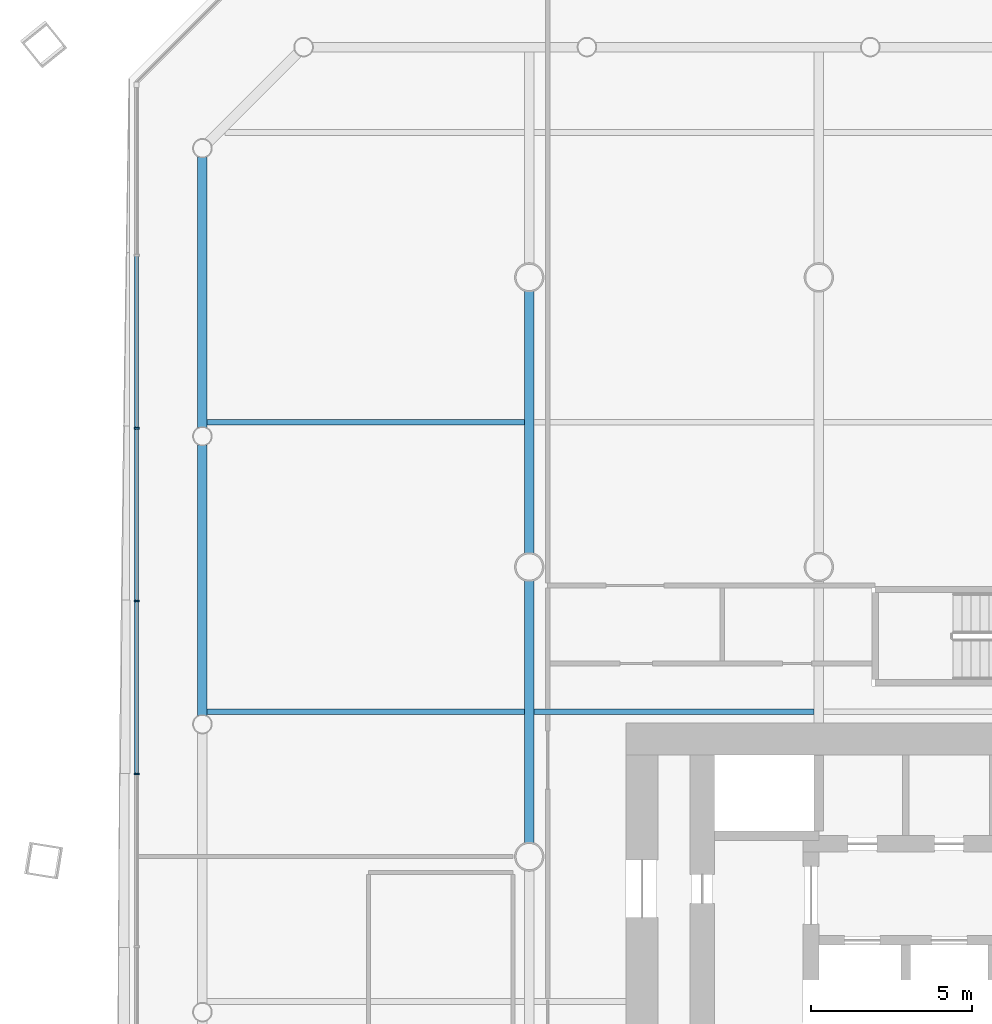
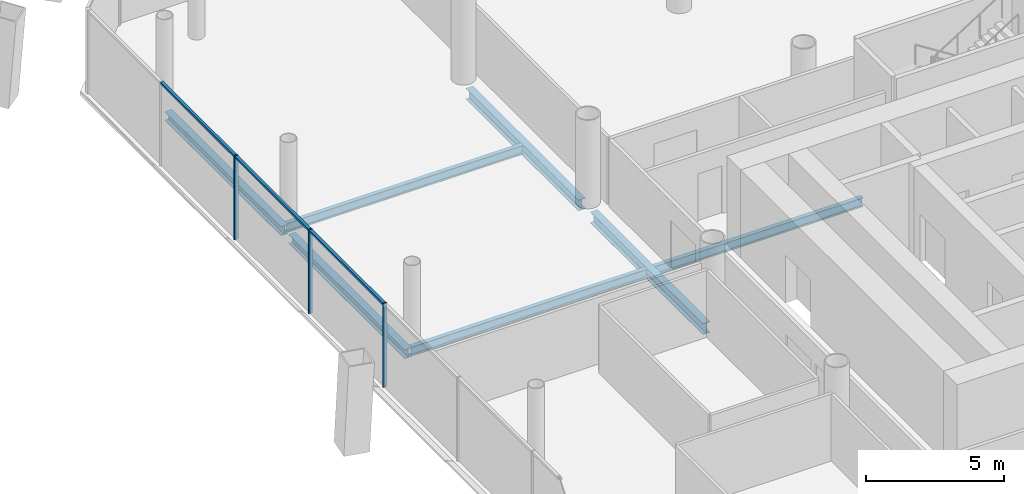
# One storey, part 8 of 22: 7 beams, 6 members, 1 element without a shape of its own.
"""IFC4 building model written with IfcOpenShell, lengths in metres."""

from ifc_helpers import new_model, si_unit, direction, frame, origin, origin_2d, place, context, subcontext, project, spatial, rectangle, i_section, extrude, material, material_profile, profile_set, type_object, element, aggregate, save


model = new_model("IFC4")

# Units and contexts
model_context = context("Model", 3, precision=1e-05, world=origin(), true_north=direction((0.0, 1.0)))
body_context = subcontext(model_context, "Body", "Model", "MODEL_VIEW")
ifc_project = project(units=[si_unit("LENGTHUNIT", "METRE"), si_unit("AREAUNIT", "SQUARE_METRE"), si_unit("VOLUMEUNIT", "CUBIC_METRE"), si_unit("PLANEANGLEUNIT", "RADIAN"), si_unit("MASSUNIT", "GRAM", prefix="KILO")], contexts=[model_context])

# Site, building, storey
site_placement = place(None, origin())
site = spatial("IfcSite", under=ifc_project, at=site_placement, CompositionType="ELEMENT")
building_placement = place(site_placement, origin())
building = spatial("IfcBuilding", under=site, at=building_placement, Name="Tskaro Facet Tower", CompositionType="ELEMENT")
storey_placement = place(building_placement, frame((0.0, 0.0, 26.39990234375)))
storey = spatial("IfcBuildingStorey", under=building, at=storey_placement, Name="L05", CompositionType="ELEMENT", Elevation=26.39990234375)

# Curtain wall, members
ifc_material_1 = material(Name="Bronze anodised aluminium 6063-T6", Category="aluminium")
curtain_wall_type = type_object("IfcCurtainWallType", Name="Bronze office curtain wall (FW1)", PredefinedType="NOTDEFINED", material=ifc_material_1)
curtain_wall_placement = place(storey_placement, origin())
curtain_wall = element("IfcCurtainWall", 1, at=curtain_wall_placement, inside=storey, type_object=curtain_wall_type, Name="FW1 west facet L05", PredefinedType="NOTDEFINED")
ifc_material_profile_1 = material_profile(ifc_material_1, rectangle(XDim=0.06005859375, YDim=0.159912109375, at=origin_2d()), Name="Mullion 60x160")
ifc_profile_set_1 = profile_set([ifc_material_profile_1], Name="Bronze anodised aluminium 6063-T6")
member_type_1 = type_object("IfcMemberType", Name="FW1 bronze mullion 60x160", PredefinedType="MULLION", material=ifc_profile_set_1)
member_1_placement = place(storey_placement, frame((-30.201904296875, 13.31689453125, 0.0), z_axis=(0.0, 0.0, 1.0), x_axis=(0.0, -1.0, 0.0)))
member_1 = element("IfcMember", 2, at=member_1_placement, type_object=member_type_1, Name="FW1 west mullion 2", PredefinedType="MULLION", context=body_context, shape_type="SweptSolid", body=[
    extrude(rectangle(XDim=0.06005859375, YDim=0.159912109375, at=origin_2d()), origin(), (0.0, 0.0, 1.0), 3.7001953125),
])
member_2_placement = place(storey_placement, frame((-30.201904296875, 7.9423828125, 0.0), z_axis=(0.0, 0.0, 1.0), x_axis=(0.0, -1.0, 0.0)))
member_2 = element("IfcMember", 3, at=member_2_placement, type_object=member_type_1, Name="FW1 west mullion 3", PredefinedType="MULLION", context=body_context, shape_type="SweptSolid", body=[
    extrude(rectangle(XDim=0.06005859375, YDim=0.159912109375, at=origin_2d()), origin(), (0.0, 0.0, 1.0), 3.7001953125),
])
member_3_placement = place(storey_placement, frame((-30.201904296875, 2.56787109375, 0.0), z_axis=(0.0, 0.0, 1.0), x_axis=(0.0, -1.0, 0.0)))
member_3 = element("IfcMember", 4, at=member_3_placement, type_object=member_type_1, Name="FW1 west mullion 4", PredefinedType="MULLION", context=body_context, shape_type="SweptSolid", body=[
    extrude(rectangle(XDim=0.06005859375, YDim=0.159912109375, at=origin_2d()), origin(), (0.0, 0.0, 1.0), 3.7001953125),
])
ifc_material_profile_2 = material_profile(ifc_material_1, rectangle(XDim=0.1201171875, YDim=0.10009765625, at=origin_2d()), Name="Transom 120x100")
ifc_profile_set_2 = profile_set([ifc_material_profile_2], Name="Bronze anodised aluminium 6063-T6")
member_type_2 = type_object("IfcMemberType", Name="FW1 bronze transom 120x100", PredefinedType="USERDEFINED", material=ifc_profile_set_2)
member_4_placement = place(storey_placement, frame((-30.201904296875, 18.661376953125, 3.650146484375), z_axis=(0.0, -1.0, 0.0), x_axis=(1.0, 0.0, 0.0)))
member_4 = element("IfcMember", 5, at=member_4_placement, type_object=member_type_2, Name="FW1 west transom 2.1", ObjectType="TRANSOM", PredefinedType="USERDEFINED", context=body_context, shape_type="SweptSolid", body=[
    extrude(rectangle(XDim=0.1201171875, YDim=0.10009765625, at=origin_2d()), origin(), (0.0, 0.0, 1.0), 5.314453125),
])
member_5_placement = place(storey_placement, frame((-30.201904296875, 13.286865234375, 3.650146484375), z_axis=(0.0, -1.0, 0.0), x_axis=(1.0, 0.0, 0.0)))
member_5 = element("IfcMember", 6, at=member_5_placement, type_object=member_type_2, Name="FW1 west transom 3.1", ObjectType="TRANSOM", PredefinedType="USERDEFINED", context=body_context, shape_type="SweptSolid", body=[
    extrude(rectangle(XDim=0.1201171875, YDim=0.10009765625, at=origin_2d()), origin(), (0.0, 0.0, 1.0), 5.314453125),
])
member_6_placement = place(storey_placement, frame((-30.201904296875, 7.912353515625, 3.650146484375), z_axis=(0.0, -1.0, 0.0), x_axis=(1.0, 0.0, 0.0)))
member_6 = element("IfcMember", 7, at=member_6_placement, type_object=member_type_2, Name="FW1 west transom 4.1", ObjectType="TRANSOM", PredefinedType="USERDEFINED", context=body_context, shape_type="SweptSolid", body=[
    extrude(rectangle(XDim=0.1201171875, YDim=0.10009765625, at=origin_2d()), origin(), (0.0, 0.0, 1.0), 5.314697265625),
])
aggregate(curtain_wall, [member_1, member_2, member_3, member_4, member_5, member_6])

# Beams
ifc_material_2 = material(Name="Steel S355J2", Category="steel")
ifc_material_profile_3 = material_profile(ifc_material_2, i_section(OverallWidth=0.300048828125, OverallDepth=0.39990234375, WebThickness=0.013427734375, FlangeThickness=0.02392578125, FilletRadius=0.027099609375, at=origin_2d()), Name="HE 400 B")
ifc_profile_set_3 = profile_set([ifc_material_profile_3], Name="Steel S355J2")
beam_type_1 = type_object("IfcBeamType", Name="HE 400 B ring beam", PredefinedType="BEAM", material=ifc_profile_set_3)
for number, where, z_axis, x_axis, name in (
    (8, (-28.156982421875, 21.737060546875, -0.33984375), (0.0, -1.0, 0.0), (1.0, 0.0, 0.0), "HE 400 B EB20-1"),
    (9, (-28.156982421875, 12.7890625, -0.33984375), (0.0, -1.0, 0.0), (1.0, 0.0, 0.0), "HE 400 B EB21-1"),
):
    element("IfcBeam", number, at=place(storey_placement, frame(where, z_axis=z_axis, x_axis=x_axis)), inside=storey, type_object=beam_type_1, Name=name, PredefinedType="BEAM", context=body_context, shape_type="SweptSolid", body=[
        extrude(i_section(OverallWidth=0.300048828125, OverallDepth=0.39990234375, WebThickness=0.013427734375, FlangeThickness=0.02392578125, FilletRadius=0.027099609375, at=origin_2d()), origin(), (0.0, 0.0, 1.0), 8.39794921875),
    ])
ifc_material_profile_4 = material_profile(ifc_material_2, i_section(OverallWidth=0.300048828125, OverallDepth=0.489990234375, WebThickness=0.011962890625, FlangeThickness=0.02294921875, FilletRadius=0.027099609375, at=origin_2d()), Name="HE 500 A")
ifc_profile_set_4 = profile_set([ifc_material_profile_4], Name="Steel S355J2")
beam_type_2 = type_object("IfcBeamType", Name="HE 500 A girder", PredefinedType="BEAM", material=ifc_profile_set_4)
for number, where, z_axis, x_axis, name in (
    (10, (-18.0, 0.42724609375, -0.385009765625), (0.0, 1.0, 0.0), (-1.0, 0.0, 0.0), "HE 500 A GB2-4-1"),
    (11, (-18.0, 9.42724609375, -0.385009765625), (0.0, 1.0, 0.0), (-1.0, 0.0, 0.0), "HE 500 A GB2-5-1"),
):
    element("IfcBeam", number, at=place(storey_placement, frame(where, z_axis=z_axis, x_axis=x_axis)), inside=storey, type_object=beam_type_2, Name=name, PredefinedType="BEAM", context=body_context, shape_type="SweptSolid", body=[
        extrude(i_section(OverallWidth=0.300048828125, OverallDepth=0.489990234375, WebThickness=0.011962890625, FlangeThickness=0.02294921875, FilletRadius=0.027099609375, at=origin_2d()), origin(), (0.0, 0.0, 1.0), 8.1455078125),
    ])
ifc_material_profile_5 = material_profile(ifc_material_2, i_section(OverallWidth=0.179931640625, OverallDepth=0.39990234375, WebThickness=0.008544921875, FlangeThickness=0.013427734375, FilletRadius=0.02099609375, at=origin_2d()), Name="IPE 400")
ifc_profile_set_5 = profile_set([ifc_material_profile_5], Name="Steel S355J2")
beam_type_3 = type_object("IfcBeamType", Name="IPE 400 secondary beam", PredefinedType="BEAM", material=ifc_profile_set_5)
beam_1_placement = place(storey_placement, frame((-28.007080078125, 4.5, -0.33984375), z_axis=(1.0, 0.0, 0.0), x_axis=(0.0, 1.0, 0.0)))
element("IfcBeam", 12, at=beam_1_placement, inside=storey, type_object=beam_type_3, Name="IPE 400 SB4a-1-1", PredefinedType="BEAM", context=body_context, shape_type="SweptSolid", body=[
    extrude(i_section(OverallWidth=0.179931640625, OverallDepth=0.39990234375, WebThickness=0.008544921875, FlangeThickness=0.013427734375, FilletRadius=0.02099609375, at=origin_2d()), origin(), (0.0, 0.0, 1.0), 9.857177734375),
])
beam_2_placement = place(storey_placement, frame((-17.85009765625, 4.5, -0.33984375), z_axis=(1.0, 0.0, 0.0), x_axis=(0.0, 1.0, 0.0)))
element("IfcBeam", 13, at=beam_2_placement, inside=storey, type_object=beam_type_3, Name="IPE 400 SB4a-2-1", PredefinedType="BEAM", context=body_context, shape_type="SweptSolid", body=[
    extrude(i_section(OverallWidth=0.179931640625, OverallDepth=0.39990234375, WebThickness=0.008544921875, FlangeThickness=0.013427734375, FilletRadius=0.02099609375, at=origin_2d()), origin(), (0.0, 0.0, 1.0), 8.7001953125),
])
beam_3_placement = place(storey_placement, frame((-28.007080078125, 13.5, -0.33984375), z_axis=(1.0, 0.0, 0.0), x_axis=(0.0, 1.0, 0.0)))
element("IfcBeam", 14, at=beam_3_placement, inside=storey, type_object=beam_type_3, Name="IPE 400 SB5a-1-1", PredefinedType="BEAM", context=body_context, shape_type="SweptSolid", body=[
    extrude(i_section(OverallWidth=0.179931640625, OverallDepth=0.39990234375, WebThickness=0.008544921875, FlangeThickness=0.013427734375, FilletRadius=0.02099609375, at=origin_2d()), origin(), (0.0, 0.0, 1.0), 9.857177734375),
])

save(model, "model.ifc")
